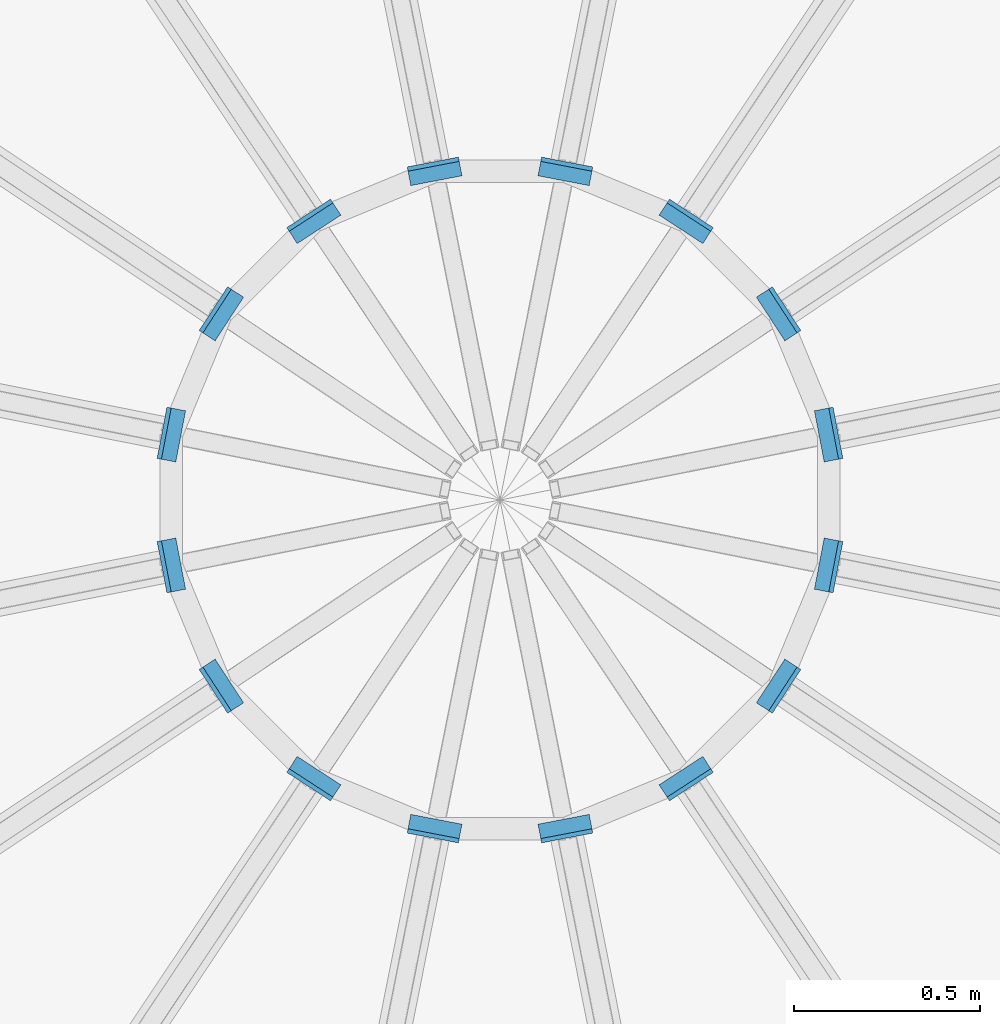
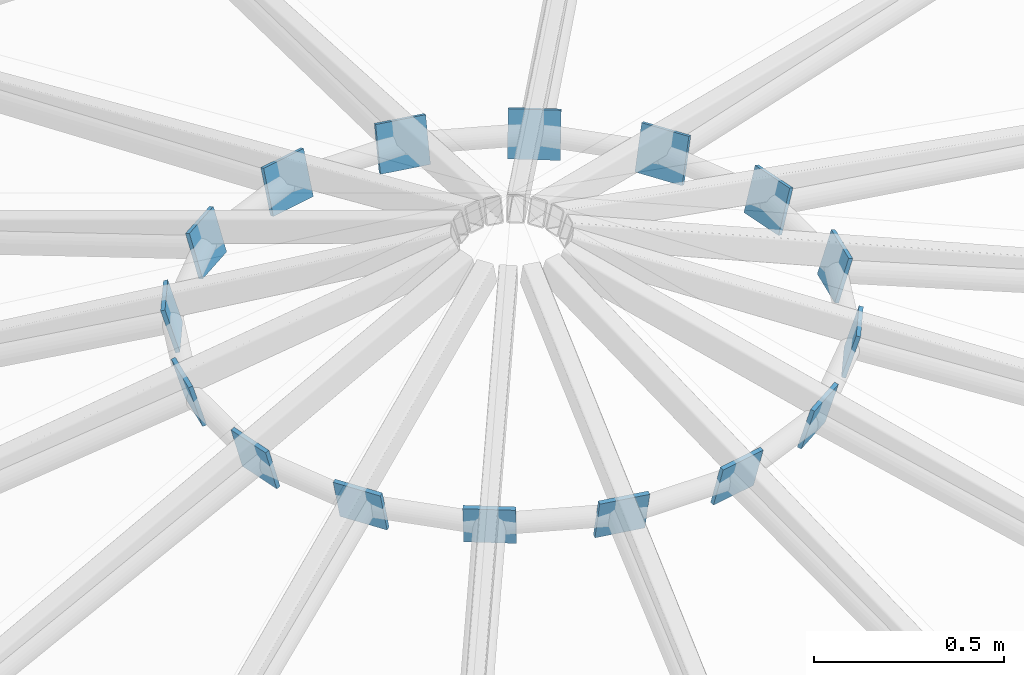
# One storey, part 19 of 26: 16 discrete accessories.
"""IFC4 building model written with IfcOpenShell, lengths in metres."""

import ifcopenshell
import ifcopenshell.guid

model = None  # the IFC model being written
_history = None  # IfcOwnerHistory: only IFC2X3 demands one
_inside = {}  # id of a spatial element -> (the spatial element, [elements in it])
_under = {}  # id of a project, library or spatial element -> (it, [spatial elements below it])
_declared = {}  # id of a project -> (the project, [libraries it declares])
_typed = {}  # id of a type object -> (the type object, [elements of that type])
_made_of = {}  # id of a material, layer set ... -> (it, [elements and type objects made of it])


def new_model(schema):
    """Start an empty IFC model of exactly this schema.

    Asked for "IFC4X3", IfcOpenShell would pick the latest addendum, in which some entities
    have other attributes; the version numbers below select the first issue.
    IFC2X3 requires an IfcOwnerHistory on every rooted entity: one is made here for all.
    """
    global model, _history
    if schema == "IFC4X3":
        model = ifcopenshell.file(schema_version=(4, 3, 0, 0))
    else:
        model = ifcopenshell.file(schema=schema)
    _inside.clear()
    _under.clear()
    _declared.clear()
    _typed.clear()
    _made_of.clear()
    _history = None
    if model.schema == "IFC2X3":
        org = make("IfcOrganization", Name="unknown")
        user = make(
            "IfcPersonAndOrganization",
            ThePerson=make("IfcPerson", FamilyName="unknown"),
            TheOrganization=org,
        )
        app = make(
            "IfcApplication",
            ApplicationDeveloper=org,
            Version="unknown",
            ApplicationFullName="unknown",
            ApplicationIdentifier="unknown",
        )
        _history = make(
            "IfcOwnerHistory",
            OwningUser=user,
            OwningApplication=app,
            ChangeAction="ADDED",
            CreationDate=0,
        )
    return model


def make(cls, **values):
    """One entity of the class cls with the attributes given. An attribute that is None is left unset."""
    return model.create_entity(
        cls, **{name: value for name, value in values.items() if value is not None}
    )


def rooted(cls, **values):
    """An entity with a GlobalId (a new one), such as an element, a storey or a relation."""
    return make(cls, GlobalId=ifcopenshell.guid.new(), OwnerHistory=_history, **values)


def si_unit(unit_type, name, prefix=None):
    """IfcSIUnit, for example si_unit("LENGTHUNIT", "METRE", prefix="MILLI")."""
    return make("IfcSIUnit", UnitType=unit_type, Prefix=prefix, Name=name)


def assignment(units):
    """IfcUnitAssignment: the units of a project."""
    return None if units is None else make("IfcUnitAssignment", Units=units)


def point(xyz):
    """IfcCartesianPoint."""
    return None if xyz is None else make("IfcCartesianPoint", Coordinates=xyz)


def direction(xyz):
    """IfcDirection."""
    return None if xyz is None else make("IfcDirection", DirectionRatios=xyz)


def frame(location, z_axis=None, x_axis=None):
    """IfcAxis2Placement3D, a coordinate frame: its origin and axes. An axis left out is left unset."""
    return make(
        "IfcAxis2Placement3D",
        Location=point(location),
        Axis=direction(z_axis),
        RefDirection=direction(x_axis),
    )


def frame_2d(location, x_axis=None):
    """IfcAxis2Placement2D, a coordinate frame in the plane: its origin and x axis."""
    return make(
        "IfcAxis2Placement2D", Location=point(location), RefDirection=direction(x_axis)
    )


def origin():
    """The frame at (0, 0, 0) with its axes left unset."""
    return frame((0.0, 0.0, 0.0))


def origin_2d():
    """The frame at (0, 0) in the plane with its x axis left unset."""
    return frame_2d((0.0, 0.0))


def place(relative_to, where):
    """IfcLocalPlacement: puts the frame where relative to a parent placement (None: the world)."""
    return make(
        "IfcLocalPlacement", PlacementRelTo=relative_to, RelativePlacement=where
    )


def context(
    kind, dimensions, precision=None, world=None, true_north=None, identifier=None
):
    """IfcGeometricRepresentationContext, for example the 3D "Model" context."""
    return make(
        "IfcGeometricRepresentationContext",
        ContextIdentifier=identifier,
        ContextType=kind,
        CoordinateSpaceDimension=dimensions,
        Precision=precision,
        WorldCoordinateSystem=world,
        TrueNorth=true_north,
    )


def subcontext(parent, identifier, kind, view, scale=None):
    """IfcGeometricRepresentationSubContext, for example "Body" below "Model"."""
    return make(
        "IfcGeometricRepresentationSubContext",
        ContextIdentifier=identifier,
        ContextType=kind,
        ParentContext=parent,
        TargetScale=scale,
        TargetView=view,
    )


def project(units=None, contexts=None):
    """IfcProject with its units and contexts."""
    return rooted(
        "IfcProject",
        Name="project",
        RepresentationContexts=contexts,
        UnitsInContext=assignment(units),
    )


def spatial(cls, under=None, at=None, **own):
    """A site, building, storey or space (cls), placed at a placement, below another one or the project."""
    s = rooted(cls, ObjectPlacement=at, **own)
    if under is not None:
        _under.setdefault(under.id(), (under, []))[1].append(s)
    return s


def profile(cls, at=None, kind="AREA", **sizes):
    """A parametric profile (cls). Its sizes go by their IFC names, for example OverallWidth=200.0."""
    return make(cls, ProfileType=kind, Position=at, **sizes)


def rectangle(**sizes):
    """IfcRectangleProfileDef."""
    return profile("IfcRectangleProfileDef", **sizes)


def extrude(swept, where, along, depth):
    """IfcExtrudedAreaSolid: the profile swept, set in the frame where, extruded along a direction by depth."""
    return make(
        "IfcExtrudedAreaSolid",
        SweptArea=swept,
        Position=where,
        ExtrudedDirection=direction(along),
        Depth=depth,
    )


def shape(context_of_items, identifier, shape_type, items):
    """IfcShapeRepresentation: the items that make up one representation, for example the "Body"."""
    return make(
        "IfcShapeRepresentation",
        ContextOfItems=context_of_items,
        RepresentationIdentifier=identifier,
        RepresentationType=shape_type,
        Items=items,
    )


def material(Name=None, Category=None):
    """IfcMaterial."""
    return make("IfcMaterial", Name=Name, Category=Category)


def material_profile(
    of_material, cross_section, Name=None, Category=None, Priority=None
):
    """IfcMaterialProfile: a cross section and its material."""
    return make(
        "IfcMaterialProfile",
        Name=Name,
        Material=of_material,
        Profile=cross_section,
        Priority=Priority,
        Category=Category,
    )


def profile_set(profiles, Name=None, composite=None):
    """IfcMaterialProfileSet."""
    return make(
        "IfcMaterialProfileSet",
        Name=Name,
        MaterialProfiles=profiles,
        CompositeProfile=composite,
    )


def made_of(thing, what):
    """Note that an element or type object is made of a material, layer set ...; save() writes the relation."""
    if what is not None:
        _made_of.setdefault(what.id(), (what, []))[1].append(thing)
    return thing


def type_object(cls, material=None, **own):
    """A type object (cls), such as IfcWallType, which elements share."""
    return made_of(rooted(cls, **own), material)


def element(
    cls,
    number,
    at=None,
    inside=None,
    cuts=None,
    type_object=None,
    material=None,
    context=None,
    identifier="Body",
    shape_type=None,
    held_by="IfcProductDefinitionShape",
    body=None,
    shapes=None,
    **own,
):
    """One element of the class cls, such as IfcWall. Its Tag is "e" and its number.

    at: its placement. inside: the storey or other place that contains it. cuts: it is an
    opening in that element (IfcRelVoidsElement). A single representation is given by context,
    identifier, shape_type and body (its items); several are given by shapes. held_by: the class
    of the entity that holds the representations. save() writes the other relations.
    """
    e = rooted(cls, Tag="e%d" % number, ObjectPlacement=at, **own)
    if body is not None:
        shapes = [shape(context, identifier, shape_type, body)]
    if shapes is not None:
        e.Representation = make(held_by, Representations=shapes)
    if inside is not None:
        _inside.setdefault(inside.id(), (inside, []))[1].append(e)
    if cuts is not None:
        rooted(
            "IfcRelVoidsElement", RelatingBuildingElement=cuts, RelatedOpeningElement=e
        )
    if type_object is not None:
        _typed.setdefault(type_object.id(), (type_object, []))[1].append(e)
    return made_of(e, material)


def aggregate(whole, parts):
    """IfcRelAggregates: a whole, such as a stair, and the parts it consists of."""
    return rooted("IfcRelAggregates", RelatingObject=whole, RelatedObjects=parts)


def save(model, path):
    """Write the relations noted so far, then the file.

    IfcRelAggregates (storeys below a building ...), IfcRelContainedInSpatialStructure (elements
    in a storey), IfcRelDefinesByType, IfcRelAssociatesMaterial and IfcRelDeclares: one each for
    every whole, place, type object, material and project.
    """
    for whole, parts in _under.values():
        aggregate(whole, parts)
    for where, things in _inside.values():
        rooted(
            "IfcRelContainedInSpatialStructure",
            RelatedElements=things,
            RelatingStructure=where,
        )
    for kind, things in _typed.values():
        rooted("IfcRelDefinesByType", RelatedObjects=things, RelatingType=kind)
    for what, things in _made_of.values():
        rooted("IfcRelAssociatesMaterial", RelatedObjects=things, RelatingMaterial=what)
    for by, libraries in _declared.values():
        rooted("IfcRelDeclares", RelatingContext=by, RelatedDefinitions=libraries)
    model.write(path)


model = new_model("IFC4")

# Units and contexts
model_context = context("Model", 3, precision=1e-05, world=origin(), true_north=direction((0.0, 1.0)))
body_context = subcontext(model_context, "Body", "Model", "MODEL_VIEW")
ifc_project = project(units=[si_unit("LENGTHUNIT", "METRE"), si_unit("AREAUNIT", "SQUARE_METRE"), si_unit("VOLUMEUNIT", "CUBIC_METRE"), si_unit("PLANEANGLEUNIT", "RADIAN"), si_unit("MASSUNIT", "GRAM", prefix="KILO")], contexts=[model_context])

# Site, building, storey
site_placement = place(None, origin())
site = spatial("IfcSite", under=ifc_project, at=site_placement, CompositionType="ELEMENT")
building_placement = place(site_placement, origin())
building = spatial("IfcBuilding", under=site, at=building_placement, Name="Sun Court Science Centre", CompositionType="ELEMENT")
storey_placement = place(building_placement, frame((0.0, 0.0, 29.25)))
storey = spatial("IfcBuildingStorey", under=building, at=storey_placement, Name="L06", CompositionType="ELEMENT", Elevation=29.25)

# Discrete accessories
ifc_material = material(Name="Steel S355", Category="steel")
ifc_material_profile = material_profile(ifc_material, rectangle(XDim=0.139892578125, YDim=0.139892578125, at=origin_2d()), Name="PL 140x140")
ifc_profile_set = profile_set([ifc_material_profile], Name="Steel S355")
discrete_accessory_type = type_object("IfcDiscreteAccessoryType", Name="Lantern node plate 140x140x12", PredefinedType="BRACKET", material=ifc_profile_set)
for number, where, z_axis, x_axis, name in (
    (1, (6.888427734375, 11.6767578125, 1.466796875), (-0.942643106241, -0.180506126727, 0.280787308242), (0.188072270788, -0.982155191892, 0.0), "Lantern node plate 1"),
    (2, (6.753173828125, 12.003173828125, 1.466796875), (-0.804517986709, -0.522936691361, 0.281581295348), (0.544988350595, -0.838443616301, 0.0), "Lantern node plate 2"),
    (3, (6.503173828125, 12.253173828125, 1.466796875), (-0.522936691361, -0.804517986709, 0.281581295348), (0.838443616301, -0.544988350595, 0.0), "Lantern node plate 3"),
    (4, (6.1767578125, 12.388427734375, 1.466796875), (-0.180506126727, -0.942643106241, 0.280787308242), (0.982155191892, -0.188072270788, 0.0), "Lantern node plate 4"),
    (5, (5.8232421875, 12.388427734375, 1.466796875), (0.180506126727, -0.942643106241, 0.280787308242), (0.982155191892, 0.188072270788, 0.0), "Lantern node plate 5"),
    (6, (5.496826171875, 12.253173828125, 1.466796875), (0.522936691361, -0.804517986709, 0.281581295348), (0.838443616301, 0.544988350595, 0.0), "Lantern node plate 6"),
    (7, (5.246826171875, 12.003173828125, 1.466796875), (0.804517986709, -0.522936691361, 0.281581295348), (0.544988350595, 0.838443616301, 0.0), "Lantern node plate 7"),
    (8, (5.111572265625, 11.6767578125, 1.466796875), (0.942643106241, -0.180506126727, 0.280787308242), (0.188072270788, 0.982155191892, 0.0), "Lantern node plate 8"),
    (9, (5.111572265625, 11.3232421875, 1.466796875), (0.942643106241, 0.180506126727, 0.280787308242), (-0.188072270788, 0.982155191892, 0.0), "Lantern node plate 9"),
    (10, (5.246826171875, 10.996826171875, 1.466796875), (0.804517986709, 0.522936691361, 0.281581295348), (-0.544988350595, 0.838443616301, 0.0), "Lantern node plate 10"),
    (11, (5.496826171875, 10.746826171875, 1.466796875), (0.522936691361, 0.804517986709, 0.281581295348), (-0.838443616301, 0.544988350595, 0.0), "Lantern node plate 11"),
    (12, (5.8232421875, 10.611572265625, 1.466796875), (0.180506126727, 0.942643106241, 0.280787308242), (-0.982155191892, 0.188072270788, 0.0), "Lantern node plate 12"),
    (13, (6.1767578125, 10.611572265625, 1.466796875), (-0.180506126727, 0.942643106241, 0.280787308242), (-0.982155191892, -0.188072270788, 0.0), "Lantern node plate 13"),
    (14, (6.503173828125, 10.746826171875, 1.466796875), (-0.522936691361, 0.804517986709, 0.281581295348), (-0.838443616301, -0.544988350595, 0.0), "Lantern node plate 14"),
    (15, (6.753173828125, 10.996826171875, 1.466796875), (-0.804517986709, 0.522936691361, 0.281581295348), (-0.544988350595, -0.838443616301, 0.0), "Lantern node plate 15"),
    (16, (6.888427734375, 11.3232421875, 1.466796875), (-0.942643106241, 0.180506126727, 0.280787308242), (-0.188072270788, -0.982155191892, 0.0), "Lantern node plate 16"),
):
    element("IfcDiscreteAccessory", number, at=place(storey_placement, frame(where, z_axis=z_axis, x_axis=x_axis)), inside=storey, type_object=discrete_accessory_type, Name=name, PredefinedType="BRACKET", context=body_context, shape_type="SweptSolid", body=[
        extrude(rectangle(XDim=0.139892578125, YDim=0.139892578125, at=origin_2d()), origin(), (0.0, 0.0, 1.0), 0.01220703125),
    ])

save(model, "model.ifc")
